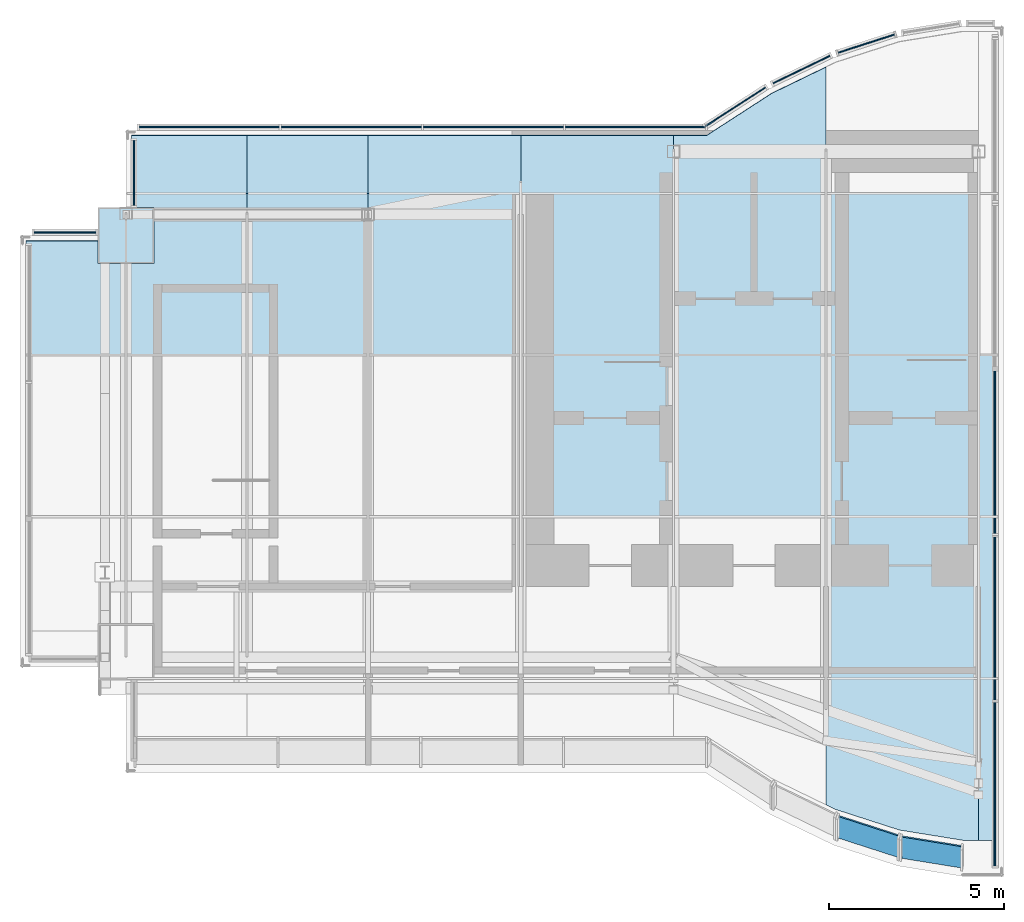
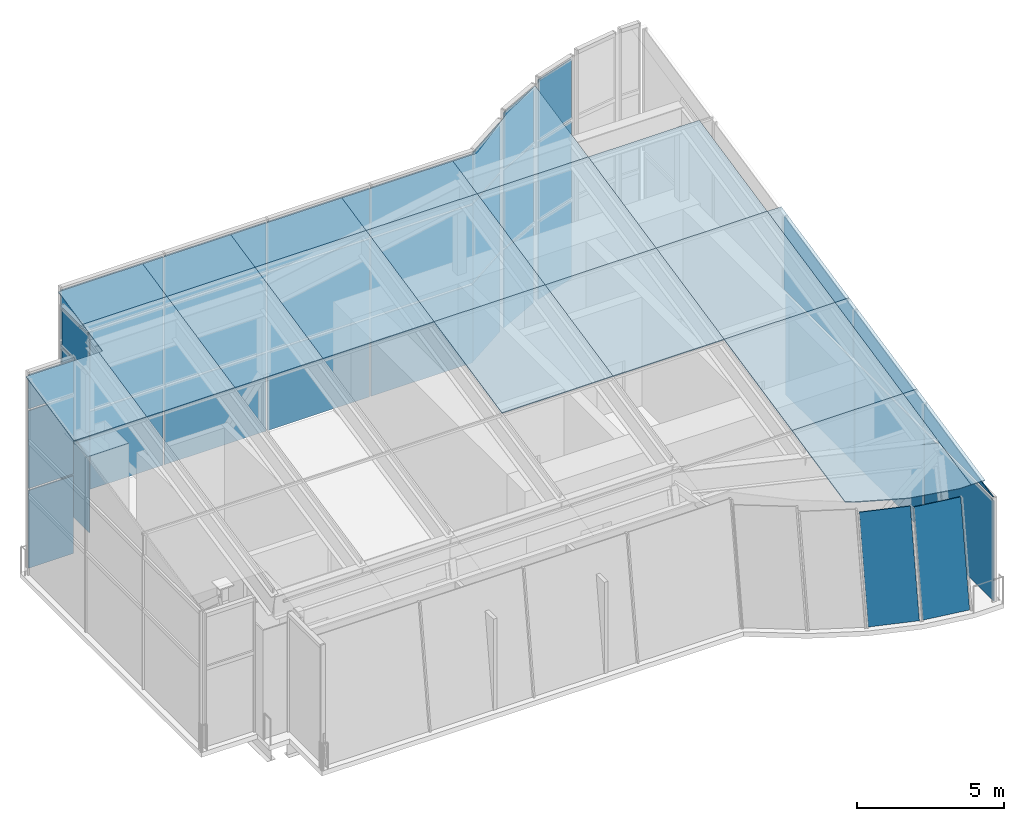
# One storey, part 5 of 8: 56 plates, 14 elements without a shape of their own.
"""IFC4 building model written with IfcOpenShell, lengths in metres."""

from ifc_helpers import new_model, si_unit, direction, frame, origin, origin_2d, place, context, subcontext, project, spatial, polyline, rectangle, outline, extrude, material, layer, layer_set, type_object, element, aggregate, save


model = new_model("IFC4")

# Units and contexts
model_context = context("Model", 3, precision=1e-05, world=origin(), true_north=direction((0.0, 1.0)))
body_context = subcontext(model_context, "Body", "Model", "MODEL_VIEW")
ifc_project = project(units=[si_unit("LENGTHUNIT", "METRE"), si_unit("AREAUNIT", "SQUARE_METRE"), si_unit("VOLUMEUNIT", "CUBIC_METRE"), si_unit("PLANEANGLEUNIT", "RADIAN"), si_unit("MASSUNIT", "GRAM", prefix="KILO")], contexts=[model_context])

# Site, building, storey
site_placement = place(None, origin())
site = spatial("IfcSite", under=ifc_project, at=site_placement, CompositionType="ELEMENT")
building_placement = place(site_placement, origin())
building = spatial("IfcBuilding", under=site, at=building_placement, Name="Bicima Exchange Tower", CompositionType="ELEMENT")
storey_placement = place(building_placement, frame((0.0, 0.0, 379.39990234375)))
storey = spatial("IfcBuildingStorey", under=building, at=storey_placement, Name="L85", CompositionType="ELEMENT", Elevation=379.39990234375)

# Curtain wall, plates
ifc_material_1 = material(Name="Anodised bronze aluminium", Category="aluminium")
curtain_wall_type = type_object("IfcCurtainWallType", Name="Crown glass wall", PredefinedType="NOTDEFINED", material=ifc_material_1)
curtain_wall_1_placement = place(storey_placement, origin())
curtain_wall_1 = element("IfcCurtainWall", 1, at=curtain_wall_1_placement, inside=storey, type_object=curtain_wall_type, Name="Crown glass wall L85 run 2", PredefinedType="NOTDEFINED")
ifc_material_2 = material(Name="Bronze tinted glass", Category="glass")
ifc_layer_1 = layer(ifc_material_2, 0.035888671875)
ifc_layer_set_1 = layer_set([ifc_layer_1], Name="Bronze tinted glass")
plate_type_1 = type_object("IfcPlateType", Name="Crown glass wall glass panel 36", PredefinedType="CURTAIN_PANEL", material=ifc_layer_set_1)
plate_1_placement = place(storey_placement, frame((-8.22998046875, -18.638671875, 0.0), z_axis=(0.0, 0.0, 1.0), x_axis=(0.0, 1.0, 0.0)))
plate_1 = element("IfcPlate", 2, at=plate_1_placement, type_object=plate_type_1, Name="Crown glass wall panel 1.1", PredefinedType="CURTAIN_PANEL", context=body_context, shape_type="SweptSolid", body=[
    extrude(rectangle(XDim=4.66259765625, YDim=0.035888671875, at=origin_2d()), origin(), (0.0, 0.0, 1.0), 4.15771484375),
])
plate_2_placement = place(storey_placement, frame((-8.22998046875, -13.916015625, 0.0), z_axis=(0.0, 0.0, 1.0), x_axis=(0.0, 1.0, 0.0)))
plate_2 = element("IfcPlate", 3, at=plate_2_placement, type_object=plate_type_1, Name="Crown glass wall panel 2.1", PredefinedType="CURTAIN_PANEL", context=body_context, shape_type="SweptSolid", body=[
    extrude(rectangle(XDim=4.66259765625, YDim=0.035888671875, at=origin_2d()), origin(), (0.0, 0.0, 1.0), 4.15771484375),
])
plate_3_placement = place(storey_placement, frame((-8.22998046875, -9.193603515625, 0.0), z_axis=(0.0, 0.0, 1.0), x_axis=(0.0, 1.0, 0.0)))
plate_3 = element("IfcPlate", 4, at=plate_3_placement, type_object=plate_type_1, Name="Crown glass wall panel 3.1", PredefinedType="CURTAIN_PANEL", context=body_context, shape_type="SweptSolid", body=[
    extrude(rectangle(XDim=4.66259765625, YDim=0.035888671875, at=origin_2d()), origin(), (0.0, 0.0, 1.0), 4.15771484375),
])
aggregate(curtain_wall_1, [plate_1, plate_2, plate_3])

curtain_wall_2_placement = place(storey_placement, origin())
curtain_wall_2 = element("IfcCurtainWall", 5, at=curtain_wall_2_placement, inside=storey, type_object=curtain_wall_type, Name="Crown glass wall L85 run 5", PredefinedType="NOTDEFINED")
plate_4_placement = place(storey_placement, frame((-11.90234375, 2.469482421875, 0.0), z_axis=(0.0, 0.0, 1.0), x_axis=(-0.951524642381, -0.307572519808, 0.0)))
plate_4 = element("IfcPlate", 6, at=plate_4_placement, type_object=plate_type_1, Name="Crown glass wall panel 1.1", PredefinedType="CURTAIN_PANEL", context=body_context, shape_type="SweptSolid", body=[
    extrude(rectangle(XDim=1.68310546875, YDim=0.035888671875, at=origin_2d()), origin(), (0.0, 0.0, 1.0), 3.219970703125),
])
plate_5_placement = place(storey_placement, frame((-11.90234375, 2.469482421875, 3.30029296875), z_axis=(0.0, 0.0, 1.0), x_axis=(-0.951524642381, -0.307572519808, 0.0)))
plate_5 = element("IfcPlate", 7, at=plate_5_placement, type_object=plate_type_1, Name="Crown glass wall panel 1.2", PredefinedType="CURTAIN_PANEL", context=body_context, shape_type="SweptSolid", body=[
    extrude(rectangle(XDim=1.68310546875, YDim=0.035888671875, at=origin_2d()), origin(), (0.0, 0.0, 1.0), 3.219970703125),
])
plate_6_placement = place(storey_placement, frame((-11.90234375, 2.469482421875, 6.60009765625), z_axis=(0.0, 0.0, 1.0), x_axis=(-0.951524642381, -0.307572519808, 0.0)))
plate_6 = element("IfcPlate", 8, at=plate_6_placement, type_object=plate_type_1, Name="Crown glass wall panel 1.3", PredefinedType="CURTAIN_PANEL", context=body_context, shape_type="SweptSolid", body=[
    extrude(rectangle(XDim=1.68310546875, YDim=0.035888671875, at=origin_2d()), origin(), (0.0, 0.0, 1.0), 2.49365234375),
])
aggregate(curtain_wall_2, [plate_4, plate_5, plate_6])

curtain_wall_3_placement = place(storey_placement, origin())
curtain_wall_3 = element("IfcCurtainWall", 9, at=curtain_wall_3_placement, inside=storey, type_object=curtain_wall_type, Name="Crown glass wall L85 run 6", PredefinedType="NOTDEFINED")
plate_7_placement = place(storey_placement, frame((-13.74951171875, 1.72998046875, 0.0), z_axis=(0.0, 0.0, 1.0), x_axis=(-0.899818346812, -0.436264762204, 0.0)))
plate_7 = element("IfcPlate", 10, at=plate_7_placement, type_object=plate_type_1, Name="Crown glass wall panel 1.1", PredefinedType="CURTAIN_PANEL", context=body_context, shape_type="SweptSolid", body=[
    extrude(rectangle(XDim=1.79736328125, YDim=0.035888671875, at=origin_2d()), origin(), (0.0, 0.0, 1.0), 3.219970703125),
])
plate_8_placement = place(storey_placement, frame((-13.74951171875, 1.72998046875, 3.30029296875), z_axis=(0.0, 0.0, 1.0), x_axis=(-0.899818346812, -0.436264762204, 0.0)))
plate_8 = element("IfcPlate", 11, at=plate_8_placement, type_object=plate_type_1, Name="Crown glass wall panel 1.2", PredefinedType="CURTAIN_PANEL", context=body_context, shape_type="SweptSolid", body=[
    extrude(rectangle(XDim=1.79736328125, YDim=0.035888671875, at=origin_2d()), origin(), (0.0, 0.0, 1.0), 3.219970703125),
])
plate_9_placement = place(storey_placement, frame((-13.74951171875, 1.72998046875, 6.60009765625), z_axis=(0.0, 0.0, 1.0), x_axis=(-0.899818346812, -0.436264762204, 0.0)))
plate_9 = element("IfcPlate", 12, at=plate_9_placement, type_object=plate_type_1, Name="Crown glass wall panel 1.3", PredefinedType="CURTAIN_PANEL", context=body_context, shape_type="SweptSolid", body=[
    extrude(rectangle(XDim=1.79736328125, YDim=0.035888671875, at=origin_2d()), origin(), (0.0, 0.0, 1.0), 2.306396484375),
])
aggregate(curtain_wall_3, [plate_7, plate_8, plate_9])

curtain_wall_4_placement = place(storey_placement, origin())
curtain_wall_4 = element("IfcCurtainWall", 13, at=curtain_wall_4_placement, inside=storey, type_object=curtain_wall_type, Name="Crown glass wall L85 run 7", PredefinedType="NOTDEFINED")
plate_10_placement = place(storey_placement, frame((-15.62890625, 0.67041015625, 0.0), z_axis=(0.0, 0.0, 1.0), x_axis=(-0.839790466384, -0.542910648791, 0.0)))
plate_10 = element("IfcPlate", 14, at=plate_10_placement, type_object=plate_type_1, Name="Crown glass wall panel 1.1", PredefinedType="CURTAIN_PANEL", context=body_context, shape_type="SweptSolid", body=[
    extrude(rectangle(XDim=2.02685546875, YDim=0.035888671875, at=origin_2d()), origin(), (0.0, 0.0, 1.0), 3.219970703125),
])
plate_11_placement = place(storey_placement, frame((-15.62890625, 0.67041015625, 3.30029296875), z_axis=(0.0, 0.0, 1.0), x_axis=(-0.839790466384, -0.542910648791, 0.0)))
plate_11 = element("IfcPlate", 15, at=plate_11_placement, type_object=plate_type_1, Name="Crown glass wall panel 1.2", PredefinedType="CURTAIN_PANEL", context=body_context, shape_type="SweptSolid", body=[
    extrude(rectangle(XDim=2.02685546875, YDim=0.035888671875, at=origin_2d()), origin(), (0.0, 0.0, 1.0), 3.219970703125),
])
plate_12_placement = place(storey_placement, frame((-15.62890625, 0.67041015625, 6.60009765625), z_axis=(0.0, 0.0, 1.0), x_axis=(-0.839790466384, -0.542910648791, 0.0)))
plate_12 = element("IfcPlate", 16, at=plate_12_placement, type_object=plate_type_1, Name="Crown glass wall panel 1.3", PredefinedType="CURTAIN_PANEL", context=body_context, shape_type="SweptSolid", body=[
    extrude(rectangle(XDim=2.02685546875, YDim=0.035888671875, at=origin_2d()), origin(), (0.0, 0.0, 1.0), 2.04638671875),
])
aggregate(curtain_wall_4, [plate_10, plate_11, plate_12])

curtain_wall_5_placement = place(storey_placement, origin())
curtain_wall_5 = element("IfcCurtainWall", 17, at=curtain_wall_5_placement, inside=storey, type_object=curtain_wall_type, Name="Crown glass wall L85 run 8", PredefinedType="NOTDEFINED")
plate_13_placement = place(storey_placement, frame((-18.485595703125, 0.090087890625, 0.0), z_axis=(0.0, 0.0, 1.0), x_axis=(-1.0, 0.0, 0.0)))
plate_13 = element("IfcPlate", 18, at=plate_13_placement, type_object=plate_type_1, Name="Crown glass wall panel 1.1", PredefinedType="CURTAIN_PANEL", context=body_context, shape_type="SweptSolid", body=[
    extrude(rectangle(XDim=3.987060546875, YDim=0.035888671875, at=origin_2d()), origin(), (0.0, 0.0, 1.0), 3.219970703125),
])
plate_14_placement = place(storey_placement, frame((-18.485595703125, 0.090087890625, 3.30029296875), z_axis=(0.0, 0.0, 1.0), x_axis=(-1.0, 0.0, 0.0)))
plate_14 = element("IfcPlate", 19, at=plate_14_placement, type_object=plate_type_1, Name="Crown glass wall panel 1.2", PredefinedType="CURTAIN_PANEL", context=body_context, shape_type="SweptSolid", body=[
    extrude(rectangle(XDim=3.987060546875, YDim=0.035888671875, at=origin_2d()), origin(), (0.0, 0.0, 1.0), 3.219970703125),
])
plate_15_placement = place(storey_placement, frame((-18.485595703125, 0.090087890625, 6.60009765625), z_axis=(0.0, 0.0, 1.0), x_axis=(-1.0, 0.0, 0.0)))
plate_15 = element("IfcPlate", 20, at=plate_15_placement, type_object=plate_type_1, Name="Crown glass wall panel 1.3", PredefinedType="CURTAIN_PANEL", context=body_context, shape_type="SweptSolid", body=[
    extrude(rectangle(XDim=3.987060546875, YDim=0.035888671875, at=origin_2d()), origin(), (0.0, 0.0, 1.0), 2.046875),
])
plate_16_placement = place(storey_placement, frame((-22.53271484375, 0.090087890625, 0.0), z_axis=(0.0, 0.0, 1.0), x_axis=(-1.0, 0.0, 0.0)))
plate_16 = element("IfcPlate", 21, at=plate_16_placement, type_object=plate_type_1, Name="Crown glass wall panel 2.1", PredefinedType="CURTAIN_PANEL", context=body_context, shape_type="SweptSolid", body=[
    extrude(rectangle(XDim=3.987060546875, YDim=0.035888671875, at=origin_2d()), origin(), (0.0, 0.0, 1.0), 3.219970703125),
])
plate_17_placement = place(storey_placement, frame((-22.53271484375, 0.090087890625, 3.30029296875), z_axis=(0.0, 0.0, 1.0), x_axis=(-1.0, 0.0, 0.0)))
plate_17 = element("IfcPlate", 22, at=plate_17_placement, type_object=plate_type_1, Name="Crown glass wall panel 2.2", PredefinedType="CURTAIN_PANEL", context=body_context, shape_type="SweptSolid", body=[
    extrude(rectangle(XDim=3.987060546875, YDim=0.035888671875, at=origin_2d()), origin(), (0.0, 0.0, 1.0), 3.219970703125),
])
plate_18_placement = place(storey_placement, frame((-22.53271484375, 0.090087890625, 6.60009765625), z_axis=(0.0, 0.0, 1.0), x_axis=(-1.0, 0.0, 0.0)))
plate_18 = element("IfcPlate", 23, at=plate_18_placement, type_object=plate_type_1, Name="Crown glass wall panel 2.3", PredefinedType="CURTAIN_PANEL", context=body_context, shape_type="SweptSolid", body=[
    extrude(rectangle(XDim=3.987060546875, YDim=0.035888671875, at=origin_2d()), origin(), (0.0, 0.0, 1.0), 2.046875),
])
plate_19_placement = place(storey_placement, frame((-26.57958984375, 0.090087890625, 0.0), z_axis=(0.0, 0.0, 1.0), x_axis=(-1.0, 0.0, 0.0)))
plate_19 = element("IfcPlate", 24, at=plate_19_placement, type_object=plate_type_1, Name="Crown glass wall panel 3.1", PredefinedType="CURTAIN_PANEL", context=body_context, shape_type="SweptSolid", body=[
    extrude(rectangle(XDim=3.987060546875, YDim=0.035888671875, at=origin_2d()), origin(), (0.0, 0.0, 1.0), 3.219970703125),
])
plate_20_placement = place(storey_placement, frame((-26.57958984375, 0.090087890625, 3.30029296875), z_axis=(0.0, 0.0, 1.0), x_axis=(-1.0, 0.0, 0.0)))
plate_20 = element("IfcPlate", 25, at=plate_20_placement, type_object=plate_type_1, Name="Crown glass wall panel 3.2", PredefinedType="CURTAIN_PANEL", context=body_context, shape_type="SweptSolid", body=[
    extrude(rectangle(XDim=3.987060546875, YDim=0.035888671875, at=origin_2d()), origin(), (0.0, 0.0, 1.0), 3.219970703125),
])
plate_21_placement = place(storey_placement, frame((-26.57958984375, 0.090087890625, 6.60009765625), z_axis=(0.0, 0.0, 1.0), x_axis=(-1.0, 0.0, 0.0)))
plate_21 = element("IfcPlate", 26, at=plate_21_placement, type_object=plate_type_1, Name="Crown glass wall panel 3.3", PredefinedType="CURTAIN_PANEL", context=body_context, shape_type="SweptSolid", body=[
    extrude(rectangle(XDim=3.987060546875, YDim=0.035888671875, at=origin_2d()), origin(), (0.0, 0.0, 1.0), 2.046875),
])
plate_22_placement = place(storey_placement, frame((-30.62646484375, 0.090087890625, 0.0), z_axis=(0.0, 0.0, 1.0), x_axis=(-1.0, 0.0, 0.0)))
plate_22 = element("IfcPlate", 27, at=plate_22_placement, type_object=plate_type_1, Name="Crown glass wall panel 4.1", PredefinedType="CURTAIN_PANEL", context=body_context, shape_type="SweptSolid", body=[
    extrude(rectangle(XDim=3.987060546875, YDim=0.035888671875, at=origin_2d()), origin(), (0.0, 0.0, 1.0), 3.219970703125),
])
plate_23_placement = place(storey_placement, frame((-30.62646484375, 0.090087890625, 3.30029296875), z_axis=(0.0, 0.0, 1.0), x_axis=(-1.0, 0.0, 0.0)))
plate_23 = element("IfcPlate", 28, at=plate_23_placement, type_object=plate_type_1, Name="Crown glass wall panel 4.2", PredefinedType="CURTAIN_PANEL", context=body_context, shape_type="SweptSolid", body=[
    extrude(rectangle(XDim=3.987060546875, YDim=0.035888671875, at=origin_2d()), origin(), (0.0, 0.0, 1.0), 3.219970703125),
])
plate_24_placement = place(storey_placement, frame((-30.62646484375, 0.090087890625, 6.60009765625), z_axis=(0.0, 0.0, 1.0), x_axis=(-1.0, 0.0, 0.0)))
plate_24 = element("IfcPlate", 29, at=plate_24_placement, type_object=plate_type_1, Name="Crown glass wall panel 4.3", PredefinedType="CURTAIN_PANEL", context=body_context, shape_type="SweptSolid", body=[
    extrude(rectangle(XDim=3.987060546875, YDim=0.035888671875, at=origin_2d()), origin(), (0.0, 0.0, 1.0), 2.046875),
])
aggregate(curtain_wall_5, [plate_13, plate_14, plate_15, plate_16, plate_17, plate_18, plate_19, plate_20, plate_21, plate_22, plate_23, plate_24])

curtain_wall_6_placement = place(storey_placement, origin())
curtain_wall_6 = element("IfcCurtainWall", 30, at=curtain_wall_6_placement, inside=storey, type_object=curtain_wall_type, Name="Crown glass wall L85 run 9", PredefinedType="NOTDEFINED")
plate_25_placement = place(storey_placement, frame((-32.77001953125, -1.215087890625, 0.0), z_axis=(0.0, 0.0, 1.0), x_axis=(0.0, -1.0, 0.0)))
plate_25 = element("IfcPlate", 31, at=plate_25_placement, type_object=plate_type_1, Name="Crown glass wall panel 1.1", PredefinedType="CURTAIN_PANEL", context=body_context, shape_type="SweptSolid", body=[
    extrude(rectangle(XDim=1.85009765625, YDim=0.035888671875, at=origin_2d()), origin(), (0.0, 0.0, 1.0), 3.219970703125),
])
plate_26_placement = place(storey_placement, frame((-32.77001953125, -1.215087890625, 3.30029296875), z_axis=(0.0, 0.0, 1.0), x_axis=(0.0, -1.0, 0.0)))
plate_26 = element("IfcPlate", 32, at=plate_26_placement, type_object=plate_type_1, Name="Crown glass wall panel 1.2", PredefinedType="CURTAIN_PANEL", context=body_context, shape_type="SweptSolid", body=[
    extrude(rectangle(XDim=1.85009765625, YDim=0.035888671875, at=origin_2d()), origin(), (0.0, 0.0, 1.0), 3.219970703125),
])
plate_27_placement = place(storey_placement, frame((-32.77001953125, -1.215087890625, 6.60009765625), z_axis=(0.0, 0.0, 1.0), x_axis=(0.0, -1.0, 0.0)))
plate_27 = element("IfcPlate", 33, at=plate_27_placement, type_object=plate_type_1, Name="Crown glass wall panel 1.3", PredefinedType="CURTAIN_PANEL", context=body_context, shape_type="SweptSolid", body=[
    extrude(rectangle(XDim=1.85009765625, YDim=0.035888671875, at=origin_2d()), origin(), (0.0, 0.0, 1.0), 1.56005859375),
])
aggregate(curtain_wall_6, [plate_25, plate_26, plate_27])

curtain_wall_7_placement = place(storey_placement, origin())
curtain_wall_7 = element("IfcCurtainWall", 34, at=curtain_wall_7_placement, inside=storey, type_object=curtain_wall_type, Name="Crown glass wall L85 run 10", PredefinedType="NOTDEFINED")
plate_28_placement = place(storey_placement, frame((-34.739990234375, -2.909912109375, 0.0), z_axis=(0.0, 0.0, 1.0), x_axis=(-1.0, 0.0, 0.0)))
plate_28 = element("IfcPlate", 35, at=plate_28_placement, type_object=plate_type_1, Name="Crown glass wall panel 1.1", PredefinedType="CURTAIN_PANEL", context=body_context, shape_type="SweptSolid", body=[
    extrude(rectangle(XDim=1.760009765625, YDim=0.035888671875, at=origin_2d()), origin(), (0.0, 0.0, 1.0), 3.219970703125),
])
plate_29_placement = place(storey_placement, frame((-34.739990234375, -2.909912109375, 3.30029296875), z_axis=(0.0, 0.0, 1.0), x_axis=(-1.0, 0.0, 0.0)))
plate_29 = element("IfcPlate", 36, at=plate_29_placement, type_object=plate_type_1, Name="Crown glass wall panel 1.2", PredefinedType="CURTAIN_PANEL", context=body_context, shape_type="SweptSolid", body=[
    extrude(rectangle(XDim=1.760009765625, YDim=0.035888671875, at=origin_2d()), origin(), (0.0, 0.0, 1.0), 3.219970703125),
])
plate_30_placement = place(storey_placement, frame((-34.739990234375, -2.909912109375, 6.60009765625), z_axis=(0.0, 0.0, 1.0), x_axis=(-1.0, 0.0, 0.0)))
plate_30 = element("IfcPlate", 37, at=plate_30_placement, type_object=plate_type_1, Name="Crown glass wall panel 1.3", PredefinedType="CURTAIN_PANEL", context=body_context, shape_type="SweptSolid", body=[
    extrude(rectangle(XDim=1.760009765625, YDim=0.035888671875, at=origin_2d()), origin(), (0.0, 0.0, 1.0), 1.4091796875),
])
aggregate(curtain_wall_7, [plate_28, plate_29, plate_30])

# Curtain wall, plate
curtain_wall_8_placement = place(storey_placement, origin())
curtain_wall_8 = element("IfcCurtainWall", 38, at=curtain_wall_8_placement, inside=storey, type_object=curtain_wall_type, Name="Crown tilted glass L85 17.1", PredefinedType="NOTDEFINED")
plate_31_placement = place(storey_placement, frame((-12.690185546875, -20.175537109375, 0.0), z_axis=(-0.30490815357, -0.943113402492, 0.132544814789), x_axis=(0.951508549588, -0.307622300981, 0.0)))
plate_31 = element("IfcPlate", 39, at=plate_31_placement, type_object=plate_type_1, Name="Crown tilted glass panel 1", PredefinedType="CURTAIN_PANEL", context=body_context, shape_type="SweptSolid", body=[
    extrude(outline(polyline([(0.0, 0.0), (1.772986400889888, 1.3877787807814457e-17), (1.5836514837088749, 4.418377819140687), (-0.18933491718101306, 4.418377819140687), (0.0, 0.0)])), origin(), (0.0, 0.0, -1.0), 0.035888671875),
])
aggregate(curtain_wall_8, [plate_31])

curtain_wall_9_placement = place(storey_placement, origin())
curtain_wall_9 = element("IfcCurtainWall", 40, at=curtain_wall_9_placement, inside=storey, type_object=curtain_wall_type, Name="Crown tilted glass L85 18.1", PredefinedType="NOTDEFINED")
plate_32_placement = place(storey_placement, frame((-10.88671875, -20.748779296875, 0.0), z_axis=(-0.158088776946, -0.97781889194, 0.137397791715), x_axis=(0.987181369594, -0.159602454636, 0.0)))
plate_32 = element("IfcPlate", 41, at=plate_32_placement, type_object=plate_type_1, Name="Crown tilted glass panel 1", PredefinedType="CURTAIN_PANEL", context=body_context, shape_type="SweptSolid", body=[
    extrude(outline(polyline([(0.0, 0.0), (1.7010037572326968, 0.0), (1.6041746313119591, 4.358967620808626), (-0.09682912592073752, 4.358967620808626), (0.0, 0.0)])), origin(), (0.0, 0.0, -1.0), 0.035888671875),
])
aggregate(curtain_wall_9, [plate_32])

# Curtain wall, plates
curtain_wall_10_placement = place(storey_placement, origin())
curtain_wall_10 = element("IfcCurtainWall", 42, at=curtain_wall_10_placement, inside=storey, type_object=curtain_wall_type, Name="Gable glazing west 2", PredefinedType="NOTDEFINED")
plate_33_placement = place(storey_placement, frame((-8.22998046875, -20.969970703125, 4.317626953125), z_axis=(1.0, 0.0, 0.0), x_axis=(0.0, 1.0, 0.0)))
plate_33 = element("IfcPlate", 43, at=plate_33_placement, type_object=plate_type_1, Name="Gable glazing panel 1", PredefinedType="CURTAIN_PANEL", context=body_context, shape_type="SweptSolid", body=[
    extrude(outline(polyline([(0.0, 0.0), (4.6806640625, 0.0), (4.6806640625, 1.0078125), (0.0, 0.0)])), origin(), (0.0, 0.0, -1.0), 0.035888671875),
])
plate_34_placement = place(storey_placement, frame((-8.22998046875, -16.229248046875, 4.317626953125), z_axis=(1.0, 0.0, 0.0), x_axis=(0.0, 1.0, 0.0)))
plate_34 = element("IfcPlate", 44, at=plate_34_placement, type_object=plate_type_1, Name="Gable glazing panel 2", PredefinedType="CURTAIN_PANEL", context=body_context, shape_type="SweptSolid", body=[
    extrude(outline(polyline([(0.0, 0.0), (4.6806640625, 0.0), (4.6806640625, 2.015380859375), (0.0, 1.0205078125), (0.0, 0.0)])), origin(), (0.0, 0.0, -1.0), 0.035888671875),
])
plate_35_placement = place(storey_placement, frame((-8.22998046875, -11.48876953125, 4.317626953125), z_axis=(1.0, 0.0, 0.0), x_axis=(0.0, 1.0, 0.0)))
plate_35 = element("IfcPlate", 45, at=plate_35_placement, type_object=plate_type_1, Name="Gable glazing panel 3", PredefinedType="CURTAIN_PANEL", context=body_context, shape_type="SweptSolid", body=[
    extrude(outline(polyline([(0.0, 0.0), (4.6806640625, 0.0), (4.6806640625, 3.02294921875), (0.0, 2.028076171875), (0.0, 0.0)])), origin(), (0.0, 0.0, -1.0), 0.035888671875),
])
aggregate(curtain_wall_10, [plate_33, plate_34, plate_35])

# Curtain wall, plate
curtain_wall_11_placement = place(storey_placement, origin())
curtain_wall_11 = element("IfcCurtainWall", 46, at=curtain_wall_11_placement, inside=storey, type_object=curtain_wall_type, Name="Roof glazing west", PredefinedType="NOTDEFINED")
ifc_material_3 = material(Name="Bronze tinted safety glass, interlayer bonded", Category="glass")
ifc_layer_2 = layer(ifc_material_3, 0.0439453125)
ifc_layer_set_2 = layer_set([ifc_layer_2], Name="Bronze tinted safety glass, interlayer bonded")
plate_type_2 = type_object("IfcPlateType", Name="Glass roof panel 44", PredefinedType="CURTAIN_PANEL", material=ifc_layer_set_2)
plate_36_placement = place(storey_placement, frame((-33.0, -3.14990234375, 8.1630859375), z_axis=(0.0, -0.207880688013, 0.97815419007), x_axis=(0.0, -0.97815419007, -0.207880688013)))
plate_36 = element("IfcPlate", 47, at=plate_36_placement, type_object=plate_type_2, Name="Glass roof panel west 1.4", PredefinedType="CURTAIN_PANEL", context=body_context, shape_type="SweptSolid", body=[
    extrude(outline(polyline([(0.0, 0.0), (3.3283251939478875, 0.0), (3.3283251939478875, -2.8500976562499996), (0.0, -2.8500976562499996), (0.0, 0.0)])), origin(), (0.0, 0.0, -1.0), 0.0439453125),
])

curtain_wall_12_placement = place(storey_placement, origin())
curtain_wall_12 = element("IfcCurtainWall", 48, at=curtain_wall_12_placement, inside=storey, type_object=curtain_wall_type, Name="Roof edge glazing west 2.4", PredefinedType="NOTDEFINED")
plate_37_placement = place(storey_placement, frame((-32.85009765625, -3.14990234375, 8.1630859375), z_axis=(-1.9068969e-05, -0.207917675682, 0.978146328407), x_axis=(1.813e-09, 0.978146328584, 0.20791767572)))
plate_37 = element("IfcPlate", 49, at=plate_37_placement, type_object=plate_type_2, Name="Glass roof panel west 2.4", PredefinedType="CURTAIN_PANEL", context=body_context, shape_type="SweptSolid", body=[
    extrude(outline(polyline([(0.0, 0.0), (1.3837837366567238, 0.0), (1.3837837426401443, -3.3000488275250084), (-3.3283251855848923, -3.3000488359596623), (-3.328325191840105, 0.14990233528809216), (-2.7179257226082453e-10, 0.14990234372274583), (0.0, 0.0)])), origin(), (0.0, 0.0, -1.0), 0.0439453125),
])
aggregate(curtain_wall_12, [plate_37])

# Plate
plate_38_placement = place(storey_placement, frame((-32.85009765625, -0.14990234375, 8.80078125), z_axis=(0.0, -0.207844878277, 0.978161799793), x_axis=(1.0, 0.0, 0.0)))
plate_38 = element("IfcPlate", 50, at=plate_38_placement, type_object=plate_type_2, Name="Glass roof panel west 2.5", PredefinedType="CURTAIN_PANEL", context=body_context, shape_type="SweptSolid", body=[
    extrude(outline(polyline([(0.0, 0.0), (3.300048828125, 0.0), (3.300048828125, -1.6832433809506908), (0.0, -1.6832433809506908), (0.0, 0.0)])), origin(), (0.0, 0.0, -1.0), 0.0439453125),
])

plate_39_placement = place(storey_placement, frame((-29.550048828125, -6.405517578125, 7.47119140625), z_axis=(0.0, -0.207918862456, 0.978146076328), x_axis=(0.0, 0.978146076328, 0.207918862456)))
plate_39 = element("IfcPlate", 51, at=plate_39_placement, type_object=plate_type_2, Name="Glass roof panel west 3.4", PredefinedType="CURTAIN_PANEL", context=body_context, shape_type="SweptSolid", body=[
    extrude(outline(polyline([(0.0, 0.0), (4.7121089282285045, 0.0), (4.7121089282285045, -3.449951171875), (0.0, -3.449951171875), (0.0, 0.0)])), origin(), (0.0, 0.0, -1.0), 0.0439453125),
])

plate_40_placement = place(storey_placement, frame((-26.10009765625, -0.14990234375, 8.80078125), z_axis=(0.0, -0.207844878277, 0.978161799793), x_axis=(0.0, -0.978161799793, -0.207844878277)))
plate_40 = element("IfcPlate", 52, at=plate_40_placement, type_object=plate_type_2, Name="Glass roof panel west 3.5", PredefinedType="CURTAIN_PANEL", context=body_context, shape_type="SweptSolid", body=[
    extrude(outline(polyline([(0.0, 0.0), (1.683243380950691, 0.0), (1.683243380950691, -3.449951171875001), (0.0, -3.449951171875001), (0.0, 0.0)])), origin(), (0.0, 0.0, -1.0), 0.0439453125),
])

plate_41_placement = place(storey_placement, frame((-26.10009765625, -6.405517578125, 7.47119140625), z_axis=(0.0, -0.207918862456, 0.978146076328), x_axis=(0.0, 0.978146076328, 0.207918862456)))
plate_41 = element("IfcPlate", 53, at=plate_41_placement, type_object=plate_type_2, Name="Glass roof panel west 4.4", PredefinedType="CURTAIN_PANEL", context=body_context, shape_type="SweptSolid", body=[
    extrude(outline(polyline([(0.0, 0.0), (4.7121089282285045, 0.0), (4.7121089282285045, -4.350097656250001), (0.0, -4.350097656250001), (0.0, 0.0)])), origin(), (0.0, 0.0, -1.0), 0.0439453125),
])

plate_42_placement = place(storey_placement, frame((-21.75, -0.14990234375, 8.80078125), z_axis=(0.0, -0.207844878277, 0.978161799793), x_axis=(0.0, -0.978161799793, -0.207844878277)))
plate_42 = element("IfcPlate", 54, at=plate_42_placement, type_object=plate_type_2, Name="Glass roof panel west 4.5", PredefinedType="CURTAIN_PANEL", context=body_context, shape_type="SweptSolid", body=[
    extrude(outline(polyline([(0.0, 0.0), (1.683243380950691, 0.0), (1.683243380950691, -4.35009765625), (0.0, -4.35009765625), (0.0, 0.0)])), origin(), (0.0, 0.0, -1.0), 0.0439453125),
])

plate_43_placement = place(storey_placement, frame((-21.75, -11.014892578125, 6.491455078125), z_axis=(0.0, -0.207908325848, 0.978148315974), x_axis=(0.0, 0.978148315974, 0.207908325848)))
plate_43 = element("IfcPlate", 55, at=plate_43_placement, type_object=plate_type_2, Name="Glass roof panel west 5.3", PredefinedType="CURTAIN_PANEL", context=body_context, shape_type="SweptSolid", body=[
    extrude(outline(polyline([(0.0, 0.0), (4.712347733696322, 0.0), (4.712347733696322, -4.35009765625), (0.0, -4.35009765625), (0.0, 0.0)])), origin(), (0.0, 0.0, -1.0), 0.0439453125),
])

plate_44_placement = place(storey_placement, frame((-21.75, -6.405517578125, 7.47119140625), z_axis=(0.0, -0.207918862456, 0.978146076328), x_axis=(0.0, 0.978146076328, 0.207918862456)))
plate_44 = element("IfcPlate", 56, at=plate_44_placement, type_object=plate_type_2, Name="Glass roof panel west 5.4", PredefinedType="CURTAIN_PANEL", context=body_context, shape_type="SweptSolid", body=[
    extrude(outline(polyline([(0.0, 0.0), (4.7121089282285045, 0.0), (4.7121089282285045, -4.350097656250001), (0.0, -4.350097656250001), (0.0, 0.0)])), origin(), (0.0, 0.0, -1.0), 0.0439453125),
])

plate_45_placement = place(storey_placement, frame((-17.39990234375, -0.14990234375, 8.80078125), z_axis=(0.0, -0.207844878277, 0.978161799793), x_axis=(0.0, -0.978161799793, -0.207844878277)))
plate_45 = element("IfcPlate", 57, at=plate_45_placement, type_object=plate_type_2, Name="Glass roof panel west 5.5", PredefinedType="CURTAIN_PANEL", context=body_context, shape_type="SweptSolid", body=[
    extrude(outline(polyline([(0.0, 0.0), (1.683243380950691, 0.0), (1.683243380950691, -4.35009765625), (0.0, -4.35009765625), (0.0, 0.0)])), origin(), (0.0, 0.0, -1.0), 0.0439453125),
])

plate_46_placement = place(storey_placement, frame((-17.39990234375, -11.014892578125, 6.491455078125), z_axis=(0.0, -0.207908325848, 0.978148315974), x_axis=(0.0, 0.978148315974, 0.207908325848)))
plate_46 = element("IfcPlate", 58, at=plate_46_placement, type_object=plate_type_2, Name="Glass roof panel west 6.3", PredefinedType="CURTAIN_PANEL", context=body_context, shape_type="SweptSolid", body=[
    extrude(outline(polyline([(0.0, 0.0), (4.712347733696322, 0.0), (4.712347733696322, -4.349853515625), (0.0, -4.349853515625), (0.0, 0.0)])), origin(), (0.0, 0.0, -1.0), 0.0439453125),
])

plate_47_placement = place(storey_placement, frame((-17.39990234375, -6.405517578125, 7.47119140625), z_axis=(0.0, -0.207918862456, 0.978146076328), x_axis=(0.0, 0.978146076328, 0.207918862456)))
plate_47 = element("IfcPlate", 59, at=plate_47_placement, type_object=plate_type_2, Name="Glass roof panel west 6.4", PredefinedType="CURTAIN_PANEL", context=body_context, shape_type="SweptSolid", body=[
    extrude(outline(polyline([(0.0, 0.0), (4.7121089282285045, 0.0), (4.7121089282285045, -4.349853515624999), (0.0, -4.349853515624999), (0.0, 0.0)])), origin(), (0.0, 0.0, -1.0), 0.0439453125),
])

# Curtain wall, plate
curtain_wall_13_placement = place(storey_placement, origin())
curtain_wall_13 = element("IfcCurtainWall", 60, at=curtain_wall_13_placement, inside=storey, type_object=curtain_wall_type, Name="Roof edge glazing west 6.5", PredefinedType="NOTDEFINED")
plate_48_placement = place(storey_placement, frame((-16.455810546875, -0.14990234375, 8.80078125), z_axis=(-8.507269e-06, -0.207897947779, 0.978150521769), x_axis=(0.834281339363, 0.539291014028, 0.114629180308)))
plate_48 = element("IfcPlate", 61, at=plate_48_placement, type_object=plate_type_2, Name="Glass roof panel west 6.5", PredefinedType="CURTAIN_PANEL", context=body_context, shape_type="SweptSolid", body=[
    extrude(outline(polyline([(0.0, 0.0), (2.2328115016295356, -9.020562075079397e-17), (3.9417151461951376, -0.2126864540782213), (1.9133257983717586, -3.2820276582952213), (-1.7156758186786585, -0.8837839531077702), (-0.7876381687789169, 0.5205145876387648), (0.0, 0.0)])), origin(), (0.0, 0.0, -1.0), 0.0439453125),
])
aggregate(curtain_wall_13, [plate_48])

curtain_wall_14_placement = place(storey_placement, origin())
curtain_wall_14 = element("IfcCurtainWall", 62, at=curtain_wall_14_placement, inside=storey, type_object=curtain_wall_type, Name="Roof edge glazing west 7.1", PredefinedType="NOTDEFINED")
plate_49_placement = place(storey_placement, frame((-9.15478515625, -20.2333984375, 4.531982421875), z_axis=(7.621368e-06, -0.207908229243, 0.978148336478), x_axis=(-0.986626602512, 0.159433456463, 0.033895725038)))
plate_49 = element("IfcPlate", 63, at=plate_49_placement, type_object=plate_type_2, Name="Glass roof panel west 7.1", PredefinedType="CURTAIN_PANEL", context=body_context, shape_type="SweptSolid", body=[
    extrude(outline(polyline([(0.0, 0.0), (1.8345933402713555, -5.204170427930421e-18), (3.7202516375680497, -0.29561800645739406), (4.011560243509036, -0.38435351561586556), (4.611229299858704, -4.014176623989116), (0.3193072286772502, -4.723228492837987), (-0.448751308710913, -0.0741364705166375), (0.0, 0.0)])), origin(), (0.0, 0.0, -1.0), 0.0439453125),
])
aggregate(curtain_wall_14, [plate_49])

# Plate
plate_50_placement = place(storey_placement, frame((-13.050048828125, -15.624267578125, 5.51171875), z_axis=(0.0, -0.207908325848, 0.978148315974), x_axis=(0.0, 0.978148315974, 0.207908325848)))
plate_50 = element("IfcPlate", 64, at=plate_50_placement, type_object=plate_type_2, Name="Glass roof panel west 7.2", PredefinedType="CURTAIN_PANEL", context=body_context, shape_type="SweptSolid", body=[
    extrude(outline(polyline([(0.0, 0.0), (4.712347733696322, 0.0), (4.712347733696322, -4.35009765625), (0.0, -4.35009765625), (0.0, 0.0)])), origin(), (0.0, 0.0, -1.0), 0.0439453125),
])

plate_51_placement = place(storey_placement, frame((-13.050048828125, -11.014892578125, 6.491455078125), z_axis=(0.0, -0.207908325848, 0.978148315974), x_axis=(0.0, 0.978148315974, 0.207908325848)))
plate_51 = element("IfcPlate", 65, at=plate_51_placement, type_object=plate_type_2, Name="Glass roof panel west 7.3", PredefinedType="CURTAIN_PANEL", context=body_context, shape_type="SweptSolid", body=[
    extrude(outline(polyline([(0.0, 0.0), (4.712347733696322, 0.0), (4.712347733696322, -4.35009765625), (0.0, -4.35009765625), (0.0, 0.0)])), origin(), (0.0, 0.0, -1.0), 0.0439453125),
])

plate_52_placement = place(storey_placement, frame((-13.050048828125, -6.405517578125, 7.47119140625), z_axis=(0.0, -0.207918862456, 0.978146076328), x_axis=(0.0, 0.978146076328, 0.207918862456)))
plate_52 = element("IfcPlate", 66, at=plate_52_placement, type_object=plate_type_2, Name="Glass roof panel west 7.4", PredefinedType="CURTAIN_PANEL", context=body_context, shape_type="SweptSolid", body=[
    extrude(outline(polyline([(0.0, 0.0), (4.7121089282285045, 0.0), (4.7121089282285045, -4.350097656250001), (0.0, -4.350097656250001), (0.0, 0.0)])), origin(), (0.0, 0.0, -1.0), 0.0439453125),
])

plate_53_placement = place(storey_placement, frame((-8.699951171875, -20.2333984375, 4.531982421875), z_axis=(0.0, -0.207918862456, 0.978146076328), x_axis=(0.0, 0.978146076328, 0.207918862456)))
plate_53 = element("IfcPlate", 67, at=plate_53_placement, type_object=plate_type_2, Name="Glass roof panel west 8.1", PredefinedType="CURTAIN_PANEL", context=body_context, shape_type="SweptSolid", body=[
    extrude(outline(polyline([(0.0, 0.0), (4.7121089282285045, 0.0), (4.7121089282285045, -0.550048828125), (0.0, -0.550048828125), (0.0, 0.0)])), origin(), (0.0, 0.0, -1.0), 0.0439453125),
])

plate_54_placement = place(storey_placement, frame((-8.14990234375, -15.624267578125, 5.51171875), z_axis=(0.0, -0.207908325848, 0.978148315974), x_axis=(-1.0, 0.0, 0.0)))
plate_54 = element("IfcPlate", 68, at=plate_54_placement, type_object=plate_type_2, Name="Glass roof panel west 8.2", PredefinedType="CURTAIN_PANEL", context=body_context, shape_type="SweptSolid", body=[
    extrude(outline(polyline([(0.0, 0.0), (0.550048828125, 0.0), (0.550048828125, -4.712347733696322), (0.0, -4.712347733696322), (0.0, 0.0)])), origin(), (0.0, 0.0, -1.0), 0.0439453125),
])

plate_55_placement = place(storey_placement, frame((-8.14990234375, -11.014892578125, 6.491455078125), z_axis=(0.0, -0.207908325848, 0.978148315974), x_axis=(-1.0, 0.0, 0.0)))
plate_55 = element("IfcPlate", 69, at=plate_55_placement, type_object=plate_type_2, Name="Glass roof panel west 8.3", PredefinedType="CURTAIN_PANEL", context=body_context, shape_type="SweptSolid", body=[
    extrude(outline(polyline([(0.0, 0.0), (0.550048828125, 0.0), (0.550048828125, -4.712347733696322), (0.0, -4.712347733696322), (0.0, 0.0)])), origin(), (0.0, 0.0, -1.0), 0.0439453125),
])

aggregate(curtain_wall_11, [plate_36, plate_38, plate_39, plate_40, plate_41, plate_42, plate_43, plate_44, plate_45, plate_46, plate_47, plate_50, plate_51, plate_52, plate_53, plate_54, plate_55])

ifc_material_4 = material(Name="Steel ASTM A572 Gr 50", Category="steel")
ifc_layer_3 = layer(ifc_material_4, 0.01611328125)
ifc_layer_set_3 = layer_set([ifc_layer_3], Name="Steel ASTM A572 Gr 50")
plate_type_3 = type_object("IfcPlateType", Name="Mega column head plate 16", PredefinedType="SHEET", material=ifc_layer_set_3)
plate_56_placement = place(storey_placement, frame((-33.0, -3.0, 4.5), z_axis=(0.0, 0.0, 1.0), x_axis=(1.0, 0.0, 0.0)))
element("IfcPlate", 70, at=plate_56_placement, inside=storey, type_object=plate_type_3, Name="Mega column cap mega-33.0r", PredefinedType="SHEET", context=body_context, shape_type="SweptSolid", body=[
    extrude(rectangle(XDim=1.60009765625, YDim=1.60009765625, at=origin_2d()), origin(), (0.0, 0.0, 1.0), 0.01611328125),
])

save(model, "model.ifc")
